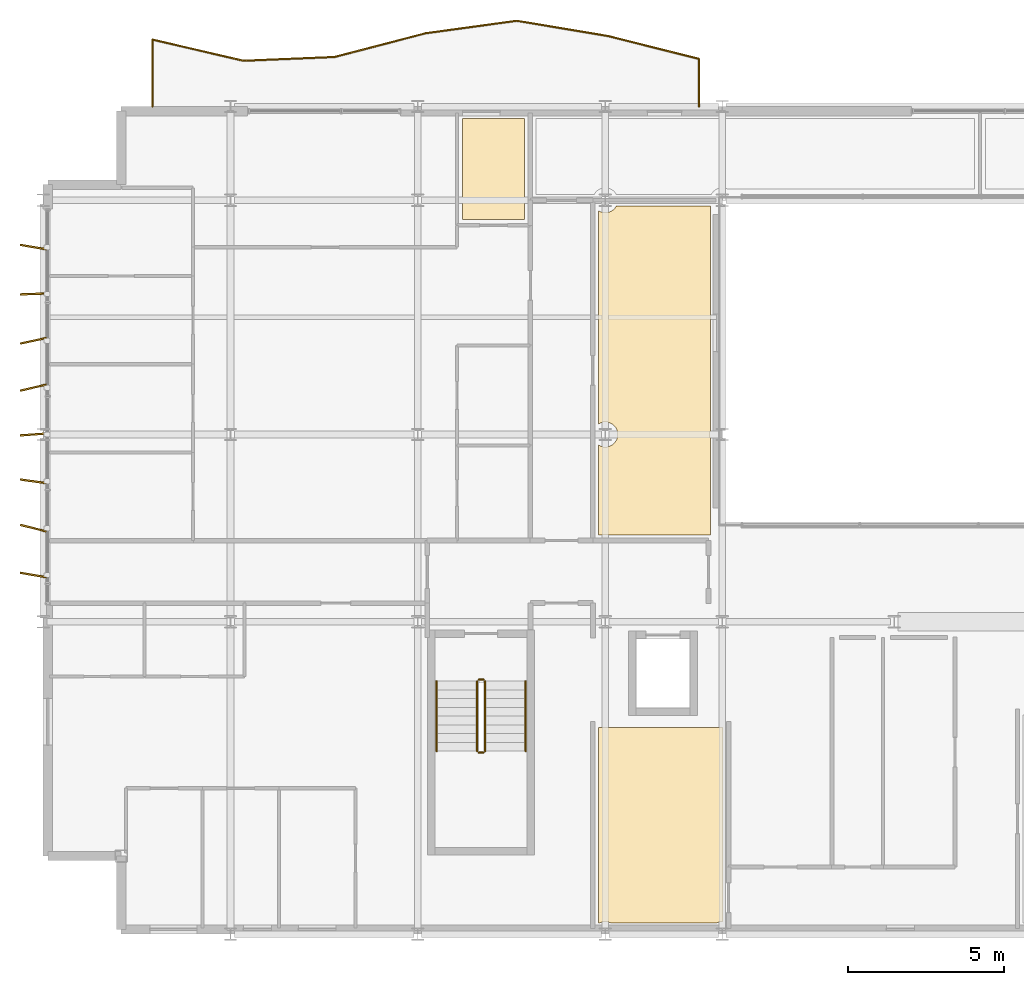
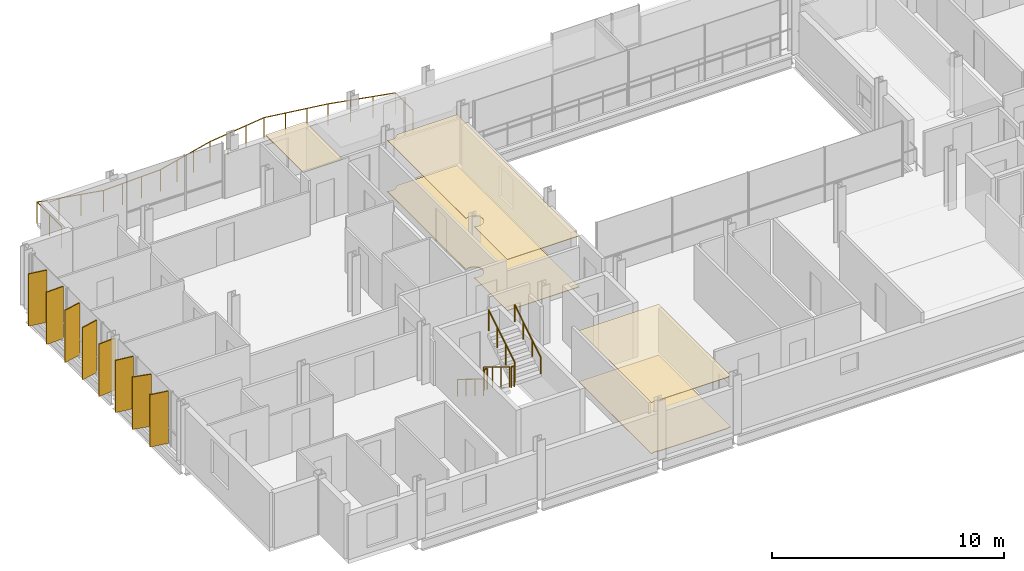
# One storey, part 35 of 38: 8 shading devices, 7 railings, 5 coverings.
"""IFC4 building model written with IfcOpenShell, lengths in metres."""

from ifc_helpers import new_model, si_unit, direction, frame, origin, origin_2d, place, context, subcontext, project, spatial, polyline, rectangle, circle, outline, extrude, material, layer, layer_set, type_object, element, save


model = new_model("IFC4")

# Units and contexts
model_context = context("Model", 3, precision=1e-05, world=origin(), true_north=direction((0.0, 1.0)))
body_context = subcontext(model_context, "Body", "Model", "MODEL_VIEW")
ifc_project = project(units=[si_unit("LENGTHUNIT", "METRE"), si_unit("AREAUNIT", "SQUARE_METRE"), si_unit("VOLUMEUNIT", "CUBIC_METRE"), si_unit("PLANEANGLEUNIT", "RADIAN"), si_unit("MASSUNIT", "GRAM", prefix="KILO")], contexts=[model_context])

# Site, building, storey
site_placement = place(None, origin())
site = spatial("IfcSite", under=ifc_project, at=site_placement, CompositionType="ELEMENT")
building_placement = place(site_placement, origin())
building = spatial("IfcBuilding", under=site, at=building_placement, Name="Brevholm Reach", CompositionType="ELEMENT")
storey_placement = place(building_placement, frame((0.0, 0.0, 186.300048828125)))
storey = spatial("IfcBuildingStorey", under=building, at=storey_placement, Name="L56", CompositionType="ELEMENT", Elevation=186.300048828125)

# Coverings
ifc_material_1 = material(Name="Moisture-Resistant Skimmed Gypsum Plasterboard Ceiling", Category="gypsum")
ifc_layer_1 = layer(ifc_material_1, 0.030029296875)
ifc_layer_set_1 = layer_set([ifc_layer_1], Name="Moisture-Resistant Skimmed Gypsum Plasterboard Ceiling")
covering_type_1 = type_object("IfcCoveringType", Name="COV-CLG-GYP", PredefinedType="CEILING", material=ifc_layer_set_1)
covering_1_placement = place(storey_placement, frame((0.0, 0.0, 2.68994140625)))
element("IfcCovering", 1, at=covering_1_placement, inside=storey, type_object=covering_type_1, Name="L56 Suspended Ceiling L56-24", PredefinedType="CEILING", context=body_context, shape_type="SweptSolid", body=[
    extrude(outline(polyline([(21.76611328125, 6.6201171875), (21.76611328125, 0.399169921875), (21.75, 0.39990234375), (21.710693359375, 0.398193359375), (21.672119140625, 0.392333984375), (21.6337890625, 0.3828125), (21.596923828125, 0.36962890625), (21.57666015625, 0.360107421875), (18.17333984375, 0.360107421875), (18.153076171875, 0.36962890625), (18.1162109375, 0.3828125), (18.077880859375, 0.392333984375), (18.039306640625, 0.398193359375), (18.0, 0.39990234375), (17.960693359375, 0.398193359375), (17.922119140625, 0.392333984375), (17.8837890625, 0.3828125), (17.846923828125, 0.36962890625), (17.82666015625, 0.360107421875), (17.783935546875, 0.360107421875), (17.783935546875, 6.6201171875), (21.76611328125, 6.6201171875)])), origin(), (0.0, 0.0, 1.0), 0.030029296875),
])
covering_2_placement = place(storey_placement, frame((0.0, 0.0, 2.68994140625)))
element("IfcCovering", 2, at=covering_2_placement, inside=storey, type_object=covering_type_1, Name="L56 Suspended Ceiling L56-42", PredefinedType="CEILING", context=body_context, shape_type="SweptSolid", body=[
    extrude(outline(polyline([(13.429931640625, 26.1201171875), (15.419921875, 26.1201171875), (15.419921875, 23.537353515625), (15.41943359375, 23.53515625), (15.4169921875, 23.517578125), (15.416015625, 23.5), (15.416015625, 22.8798828125), (13.429931640625, 22.8798828125), (13.429931640625, 26.1201171875)])), origin(), (0.0, 0.0, 1.0), 0.030029296875),
])
covering_3_placement = place(storey_placement, frame((0.0, 0.0, 2.68994140625)))
element("IfcCovering", 3, at=covering_3_placement, inside=storey, type_object=covering_type_1, Name="L56 Suspended Ceiling L56-56", PredefinedType="CEILING", context=body_context, shape_type="SweptSolid", body=[
    extrude(outline(polyline([(21.3701171875, 23.320068359375), (21.3701171875, 16.123779296875), (21.3671875, 16.1162109375), (21.357666015625, 16.077880859375), (21.351806640625, 16.039306640625), (21.35009765625, 16.0), (21.351806640625, 15.960693359375), (21.357666015625, 15.922119140625), (21.3671875, 15.8837890625), (21.3701171875, 15.876220703125), (21.3701171875, 12.783935546875), (17.783935546875, 12.783935546875), (17.783935546875, 15.663818359375), (17.811279296875, 15.647216796875), (17.846923828125, 15.63037109375), (17.8837890625, 15.6171875), (17.922119140625, 15.607666015625), (17.960693359375, 15.601806640625), (18.0, 15.60009765625), (18.039306640625, 15.601806640625), (18.077880859375, 15.607666015625), (18.1162109375, 15.6171875), (18.153076171875, 15.63037109375), (18.188720703125, 15.647216796875), (18.22216796875, 15.66748046875), (18.25390625, 15.69091796875), (18.28271484375, 15.71728515625), (18.30908203125, 15.74609375), (18.33251953125, 15.77783203125), (18.352783203125, 15.811279296875), (18.36962890625, 15.846923828125), (18.3828125, 15.8837890625), (18.392333984375, 15.922119140625), (18.398193359375, 15.960693359375), (18.39990234375, 16.0), (18.398193359375, 16.039306640625), (18.392333984375, 16.077880859375), (18.3828125, 16.1162109375), (18.36962890625, 16.153076171875), (18.352783203125, 16.188720703125), (18.33251953125, 16.22216796875), (18.30908203125, 16.25390625), (18.28271484375, 16.28271484375), (18.25390625, 16.30908203125), (18.22216796875, 16.33251953125), (18.188720703125, 16.352783203125), (18.153076171875, 16.36962890625), (18.1162109375, 16.3828125), (18.077880859375, 16.392333984375), (18.039306640625, 16.398193359375), (18.0, 16.39990234375), (17.960693359375, 16.398193359375), (17.922119140625, 16.392333984375), (17.8837890625, 16.3828125), (17.846923828125, 16.36962890625), (17.811279296875, 16.352783203125), (17.783935546875, 16.336181640625), (17.783935546875, 23.163818359375), (17.811279296875, 23.147216796875), (17.846923828125, 23.13037109375), (17.8837890625, 23.1171875), (17.922119140625, 23.107666015625), (17.960693359375, 23.101806640625), (18.0, 23.10009765625), (18.039306640625, 23.101806640625), (18.077880859375, 23.107666015625), (18.1162109375, 23.1171875), (18.153076171875, 23.13037109375), (18.188720703125, 23.147216796875), (18.22216796875, 23.16748046875), (18.25390625, 23.19091796875), (18.28271484375, 23.21728515625), (18.30908203125, 23.24609375), (18.33251953125, 23.27783203125), (18.352783203125, 23.311279296875), (18.356689453125, 23.320068359375), (21.3701171875, 23.320068359375)])), origin(), (0.0, 0.0, 1.0), 0.030029296875),
])
ifc_material_2 = material(Name="Honed Portland-Aggregate Resin Terrazzo Flooring", Category="concrete")
ifc_layer_2 = layer(ifc_material_2, 0.031982421875)
ifc_layer_set_2 = layer_set([ifc_layer_2], Name="Honed Portland-Aggregate Resin Terrazzo Flooring")
covering_type_2 = type_object("IfcCoveringType", Name="COV-FLR-TRZ", PredefinedType="FLOORING", material=ifc_layer_set_2)
covering_4_placement = place(storey_placement, origin())
element("IfcCovering", 4, at=covering_4_placement, inside=storey, type_object=covering_type_2, Name="L56 Floor Finish L56-24", PredefinedType="FLOORING", context=body_context, shape_type="SweptSolid", body=[
    extrude(outline(polyline([(21.76611328125, 6.6201171875), (21.76611328125, 0.399169921875), (21.75, 0.39990234375), (21.710693359375, 0.398193359375), (21.672119140625, 0.392333984375), (21.6337890625, 0.3828125), (21.596923828125, 0.36962890625), (21.57666015625, 0.360107421875), (18.17333984375, 0.360107421875), (18.153076171875, 0.36962890625), (18.1162109375, 0.3828125), (18.077880859375, 0.392333984375), (18.039306640625, 0.398193359375), (18.0, 0.39990234375), (17.960693359375, 0.398193359375), (17.922119140625, 0.392333984375), (17.8837890625, 0.3828125), (17.846923828125, 0.36962890625), (17.82666015625, 0.360107421875), (17.783935546875, 0.360107421875), (17.783935546875, 6.6201171875), (21.76611328125, 6.6201171875)])), origin(), (0.0, 0.0, 1.0), 0.031982421875),
])
covering_5_placement = place(storey_placement, origin())
element("IfcCovering", 5, at=covering_5_placement, inside=storey, type_object=covering_type_2, Name="L56 Floor Finish L56-56", PredefinedType="FLOORING", context=body_context, shape_type="SweptSolid", body=[
    extrude(outline(polyline([(21.3701171875, 23.320068359375), (21.3701171875, 16.123779296875), (21.3671875, 16.1162109375), (21.357666015625, 16.077880859375), (21.351806640625, 16.039306640625), (21.35009765625, 16.0), (21.351806640625, 15.960693359375), (21.357666015625, 15.922119140625), (21.3671875, 15.8837890625), (21.3701171875, 15.876220703125), (21.3701171875, 12.783935546875), (17.783935546875, 12.783935546875), (17.783935546875, 15.663818359375), (17.811279296875, 15.647216796875), (17.846923828125, 15.63037109375), (17.8837890625, 15.6171875), (17.922119140625, 15.607666015625), (17.960693359375, 15.601806640625), (18.0, 15.60009765625), (18.039306640625, 15.601806640625), (18.077880859375, 15.607666015625), (18.1162109375, 15.6171875), (18.153076171875, 15.63037109375), (18.188720703125, 15.647216796875), (18.22216796875, 15.66748046875), (18.25390625, 15.69091796875), (18.28271484375, 15.71728515625), (18.30908203125, 15.74609375), (18.33251953125, 15.77783203125), (18.352783203125, 15.811279296875), (18.36962890625, 15.846923828125), (18.3828125, 15.8837890625), (18.392333984375, 15.922119140625), (18.398193359375, 15.960693359375), (18.39990234375, 16.0), (18.398193359375, 16.039306640625), (18.392333984375, 16.077880859375), (18.3828125, 16.1162109375), (18.36962890625, 16.153076171875), (18.352783203125, 16.188720703125), (18.33251953125, 16.22216796875), (18.30908203125, 16.25390625), (18.28271484375, 16.28271484375), (18.25390625, 16.30908203125), (18.22216796875, 16.33251953125), (18.188720703125, 16.352783203125), (18.153076171875, 16.36962890625), (18.1162109375, 16.3828125), (18.077880859375, 16.392333984375), (18.039306640625, 16.398193359375), (18.0, 16.39990234375), (17.960693359375, 16.398193359375), (17.922119140625, 16.392333984375), (17.8837890625, 16.3828125), (17.846923828125, 16.36962890625), (17.811279296875, 16.352783203125), (17.783935546875, 16.336181640625), (17.783935546875, 23.163818359375), (17.811279296875, 23.147216796875), (17.846923828125, 23.13037109375), (17.8837890625, 23.1171875), (17.922119140625, 23.107666015625), (17.960693359375, 23.101806640625), (18.0, 23.10009765625), (18.039306640625, 23.101806640625), (18.077880859375, 23.107666015625), (18.1162109375, 23.1171875), (18.153076171875, 23.13037109375), (18.188720703125, 23.147216796875), (18.22216796875, 23.16748046875), (18.25390625, 23.19091796875), (18.28271484375, 23.21728515625), (18.30908203125, 23.24609375), (18.33251953125, 23.27783203125), (18.352783203125, 23.311279296875), (18.356689453125, 23.320068359375), (21.3701171875, 23.320068359375)])), origin(), (0.0, 0.0, 1.0), 0.031982421875),
])

# Railings
ifc_material_3 = material(Name="Brushed Stainless Steel EN 1.4401 and Laminated Glass", Category="steel")
railing_type_1 = type_object("IfcRailingType", Name="RAL-BALC-1150", PredefinedType="BALUSTRADE", material=ifc_material_3)
railing_1_placement = place(storey_placement, frame((21.0, 26.5, 0.0)))
element("IfcRailing", 6, at=railing_1_placement, inside=storey, type_object=railing_type_1, Name="L56 Guard Balustrade RAL-L56-BAL-NW", PredefinedType="BALUSTRADE", context=body_context, shape_type="SweptSolid", body=[
    extrude(circle(Radius=0.02392578125, at=origin_2d()), frame((0.0, 0.0, 1.1259765625), z_axis=(0.0, 1.0, 0.0), x_axis=(-1.0, 0.0, 0.0)), (0.0, 0.0, 1.0), 1.52880859375),
    extrude(circle(Radius=0.02392578125, at=origin_2d()), frame((0.0, 1.52880859375, 1.1259765625), z_axis=(-0.969908046993, 0.243471518618, 0.0), x_axis=(-0.243471518618, -0.969908046993, 0.0)), (0.0, 0.0, 1.0), 3.00732421875),
    extrude(circle(Radius=0.02392578125, at=origin_2d()), frame((-2.916748046875, 2.260986328125, 1.1259765625), z_axis=(-0.986326897089, 0.164800643445, 0.0), x_axis=(-0.164800643445, -0.986326897089, 0.0)), (0.0, 0.0, 1.0), 2.95703125),
    extrude(circle(Radius=0.02392578125, at=origin_2d()), frame((-5.833251953125, 2.748291015625, 1.1259765625), z_axis=(-0.990787222307, -0.135427767141, 0.0), x_axis=(0.135427767141, -0.990787222307, 0.0)), (0.0, 0.0, 1.0), 2.94384765625),
    extrude(circle(Radius=0.02392578125, at=origin_2d()), frame((-8.75, 2.349609375, 1.1259765625), z_axis=(-0.967668860758, -0.252224058961, 0.0), x_axis=(0.252224058961, -0.967668860758, 0.0)), (0.0, 0.0, 1.0), 3.01416015625),
    extrude(circle(Radius=0.02392578125, at=origin_2d()), frame((-11.666748046875, 1.58935546875, 1.1259765625), z_axis=(-0.999139150441, -0.041484431493, 0.0), x_axis=(0.041484431493, -0.999139150441, 0.0)), (0.0, 0.0, 1.0), 2.9189453125),
    extrude(circle(Radius=0.02392578125, at=origin_2d()), frame((-14.583251953125, 1.46826171875, 1.1259765625), z_axis=(-0.974086615793, 0.226175296912, 0.0), x_axis=(-0.226175296912, -0.974086615793, 0.0)), (0.0, 0.0, 1.0), 2.994384765625),
    extrude(circle(Radius=0.02392578125, at=origin_2d()), frame((-17.5, 2.1455078125, 1.1259765625), z_axis=(0.0, -1.0, 0.0), x_axis=(1.0, 0.0, 0.0)), (0.0, 0.0, 1.0), 2.1455078125),
    extrude(circle(Radius=0.02099609375, at=origin_2d()), origin(), (0.0, 0.0, 1.0), 1.101806640625),
    extrude(circle(Radius=0.02099609375, at=origin_2d()), frame((0.0, 0.764404296875, 0.0)), (0.0, 0.0, 1.0), 1.101806640625),
    extrude(circle(Radius=0.02099609375, at=origin_2d()), frame((0.0, 1.52880859375, 0.0)), (0.0, 0.0, 1.0), 1.101806640625),
    extrude(circle(Radius=0.02099609375, at=origin_2d()), frame((-0.97216796875, 1.77294921875, 0.0)), (0.0, 0.0, 1.0), 1.101806640625),
    extrude(circle(Radius=0.02099609375, at=origin_2d()), frame((-1.944580078125, 2.016845703125, 0.0)), (0.0, 0.0, 1.0), 1.101806640625),
    extrude(circle(Radius=0.02099609375, at=origin_2d()), frame((-2.916748046875, 2.260986328125, 0.0)), (0.0, 0.0, 1.0), 1.101806640625),
    extrude(circle(Radius=0.02099609375, at=origin_2d()), frame((-3.888916015625, 2.42333984375, 0.0)), (0.0, 0.0, 1.0), 1.101806640625),
    extrude(circle(Radius=0.02099609375, at=origin_2d()), frame((-4.861083984375, 2.5859375, 0.0)), (0.0, 0.0, 1.0), 1.101806640625),
    extrude(circle(Radius=0.02099609375, at=origin_2d()), frame((-5.833251953125, 2.748291015625, 0.0)), (0.0, 0.0, 1.0), 1.101806640625),
    extrude(circle(Radius=0.02099609375, at=origin_2d()), frame((-6.805419921875, 2.615478515625, 0.0)), (0.0, 0.0, 1.0), 1.101806640625),
    extrude(circle(Radius=0.02099609375, at=origin_2d()), frame((-7.77783203125, 2.482421875, 0.0)), (0.0, 0.0, 1.0), 1.101806640625),
    extrude(circle(Radius=0.02099609375, at=origin_2d()), frame((-8.75, 2.349609375, 0.0)), (0.0, 0.0, 1.0), 1.101806640625),
    extrude(circle(Radius=0.02099609375, at=origin_2d()), frame((-9.72216796875, 2.09619140625, 0.0)), (0.0, 0.0, 1.0), 1.101806640625),
    extrude(circle(Radius=0.02099609375, at=origin_2d()), frame((-10.694580078125, 1.8427734375, 0.0)), (0.0, 0.0, 1.0), 1.101806640625),
    extrude(circle(Radius=0.02099609375, at=origin_2d()), frame((-11.666748046875, 1.58935546875, 0.0)), (0.0, 0.0, 1.0), 1.101806640625),
    extrude(circle(Radius=0.02099609375, at=origin_2d()), frame((-12.638916015625, 1.549072265625, 0.0)), (0.0, 0.0, 1.0), 1.101806640625),
    extrude(circle(Radius=0.02099609375, at=origin_2d()), frame((-13.611083984375, 1.508544921875, 0.0)), (0.0, 0.0, 1.0), 1.101806640625),
    extrude(circle(Radius=0.02099609375, at=origin_2d()), frame((-14.583251953125, 1.46826171875, 0.0)), (0.0, 0.0, 1.0), 1.101806640625),
    extrude(circle(Radius=0.02099609375, at=origin_2d()), frame((-15.555419921875, 1.694091796875, 0.0)), (0.0, 0.0, 1.0), 1.101806640625),
    extrude(circle(Radius=0.02099609375, at=origin_2d()), frame((-16.52783203125, 1.919677734375, 0.0)), (0.0, 0.0, 1.0), 1.101806640625),
    extrude(circle(Radius=0.02099609375, at=origin_2d()), frame((-17.5, 2.1455078125, 0.0)), (0.0, 0.0, 1.0), 1.101806640625),
    extrude(circle(Radius=0.02099609375, at=origin_2d()), frame((-17.5, 1.07275390625, 0.0)), (0.0, 0.0, 1.0), 1.101806640625),
    extrude(circle(Radius=0.02099609375, at=origin_2d()), frame((-17.5, 0.0, 0.0)), (0.0, 0.0, 1.0), 1.101806640625),
])
ifc_material_4 = material(Name="Brushed Stainless Steel EN 1.4401 Continuous Handrail", Category="steel")
railing_type_2 = type_object("IfcRailingType", Name="RAL-HND-950", PredefinedType="HANDRAIL", material=ifc_material_4)
railing_2_placement = place(storey_placement, frame((12.60009765625, 8.10009765625, 0.172119140625)))
element("IfcRailing", 7, at=railing_2_placement, inside=storey, type_object=railing_type_2, Name="L56 ST-1 stair handrail 1", PredefinedType="HANDRAIL", context=body_context, shape_type="SweptSolid", body=[
    extrude(circle(Radius=0.02392578125, at=origin_2d()), frame((0.0, 0.0, 0.8857421875), z_axis=(0.0, -0.851747552033, 0.523952390591), x_axis=(1.0, 0.0, 0.0)), (0.0, 0.0, 1.0), 2.6298828125),
    extrude(circle(Radius=0.02099609375, at=origin_2d()), origin(), (0.0, 0.0, 1.0), 0.86181640625),
    extrude(circle(Radius=0.02099609375, at=origin_2d()), frame((0.0, -0.74658203125, 0.459228515625)), (0.0, 0.0, 1.0), 0.86181640625),
    extrude(circle(Radius=0.02099609375, at=origin_2d()), frame((0.0, -1.493408203125, 0.918701171875)), (0.0, 0.0, 1.0), 0.86181640625),
    extrude(circle(Radius=0.02099609375, at=origin_2d()), frame((0.0, -2.239990234375, 1.3779296875)), (0.0, 0.0, 1.0), 0.86181640625),
])
railing_3_placement = place(storey_placement, frame((15.449951171875, 5.860107421875, 1.72216796875)))
element("IfcRailing", 8, at=railing_3_placement, inside=storey, type_object=railing_type_2, Name="L56 ST-1 stair handrail 2", PredefinedType="HANDRAIL", context=body_context, shape_type="SweptSolid", body=[
    extrude(circle(Radius=0.02392578125, at=origin_2d()), frame((0.0, 0.0, 0.8857421875), z_axis=(0.0, 0.85178898068, 0.523885037382), x_axis=(-1.0, 0.0, 0.0)), (0.0, 0.0, 1.0), 2.629638671875),
    extrude(circle(Radius=0.02099609375, at=origin_2d()), origin(), (0.0, 0.0, 1.0), 0.86181640625),
    extrude(circle(Radius=0.02099609375, at=origin_2d()), frame((0.0, 0.74658203125, 0.459228515625)), (0.0, 0.0, 1.0), 0.86181640625),
    extrude(circle(Radius=0.02099609375, at=origin_2d()), frame((0.0, 1.493408203125, 0.91845703125)), (0.0, 0.0, 1.0), 0.86181640625),
    extrude(circle(Radius=0.02099609375, at=origin_2d()), frame((0.0, 2.239990234375, 1.377685546875)), (0.0, 0.0, 1.0), 0.86181640625),
])
ifc_material_5 = material(Name="Painted Tubular Galvanised Steel S275JR Stair Guard", Category="steel")
railing_type_3 = type_object("IfcRailingType", Name="RAL-STG-1120", PredefinedType="BALUSTRADE", material=ifc_material_5)
railing_4_placement = place(storey_placement, frame((13.89990234375, 8.10009765625, 0.172119140625)))
element("IfcRailing", 9, at=railing_4_placement, inside=storey, type_object=railing_type_3, Name="L56 ST-1 stair guard 1", PredefinedType="BALUSTRADE", context=body_context, shape_type="SweptSolid", body=[
    extrude(circle(Radius=0.02392578125, at=origin_2d()), frame((0.0, 0.0, 1.076171875), z_axis=(0.0, -0.851747552033, 0.523952390591), x_axis=(1.0, 0.0, 0.0)), (0.0, 0.0, 1.0), 2.6298828125),
    extrude(circle(Radius=0.02099609375, at=origin_2d()), origin(), (0.0, 0.0, 1.0), 1.052001953125),
    extrude(circle(Radius=0.02099609375, at=origin_2d()), frame((0.0, -0.74658203125, 0.459228515625)), (0.0, 0.0, 1.0), 1.052001953125),
    extrude(circle(Radius=0.02099609375, at=origin_2d()), frame((0.0, -1.493408203125, 0.918701171875)), (0.0, 0.0, 1.0), 1.052001953125),
    extrude(circle(Radius=0.02099609375, at=origin_2d()), frame((0.0, -2.239990234375, 1.3779296875)), (0.0, 0.0, 1.0), 1.052001953125),
])
railing_5_placement = place(storey_placement, frame((13.949951171875, 5.81005859375, 1.550048828125)))
element("IfcRailing", 10, at=railing_5_placement, inside=storey, type_object=railing_type_3, Name="L56 ST-1 stair guard 2", PredefinedType="BALUSTRADE", context=body_context, shape_type="SweptSolid", body=[
    extrude(circle(Radius=0.02392578125, at=origin_2d()), frame((0.0, 0.0, 1.076171875), z_axis=(1.0, 0.0, 0.0), x_axis=(0.0, 1.0, 0.0)), (0.0, 0.0, 1.0), 0.150146484375),
    extrude(circle(Radius=0.02099609375, at=origin_2d()), origin(), (0.0, 0.0, 1.0), 1.052001953125),
    extrude(circle(Radius=0.02099609375, at=origin_2d()), frame((0.150146484375, 0.0, 0.0)), (0.0, 0.0, 1.0), 1.052001953125),
])
railing_6_placement = place(storey_placement, frame((14.14990234375, 5.860107421875, 1.72216796875)))
element("IfcRailing", 11, at=railing_6_placement, inside=storey, type_object=railing_type_3, Name="L56 ST-1 stair guard 3", PredefinedType="BALUSTRADE", context=body_context, shape_type="SweptSolid", body=[
    extrude(circle(Radius=0.02392578125, at=origin_2d()), frame((0.0, 0.0, 1.076171875), z_axis=(0.0, 0.85178898068, 0.523885037382), x_axis=(-1.0, 0.0, 0.0)), (0.0, 0.0, 1.0), 2.629638671875),
    extrude(circle(Radius=0.02099609375, at=origin_2d()), origin(), (0.0, 0.0, 1.0), 1.052001953125),
    extrude(circle(Radius=0.02099609375, at=origin_2d()), frame((0.0, 0.74658203125, 0.459228515625)), (0.0, 0.0, 1.0), 1.052001953125),
    extrude(circle(Radius=0.02099609375, at=origin_2d()), frame((0.0, 1.493408203125, 0.91845703125)), (0.0, 0.0, 1.0), 1.052001953125),
    extrude(circle(Radius=0.02099609375, at=origin_2d()), frame((0.0, 2.239990234375, 1.377685546875)), (0.0, 0.0, 1.0), 1.052001953125),
])
railing_7_placement = place(storey_placement, frame((13.949951171875, 8.14990234375, 0.0)))
element("IfcRailing", 12, at=railing_7_placement, inside=storey, type_object=railing_type_3, Name="L56 ST-1 stair guard 4", PredefinedType="BALUSTRADE", context=body_context, shape_type="SweptSolid", body=[
    extrude(circle(Radius=0.02392578125, at=origin_2d()), frame((0.0, 0.0, 1.076171875), z_axis=(1.0, 0.0, 0.0), x_axis=(0.0, 1.0, 0.0)), (0.0, 0.0, 1.0), 0.150146484375),
    extrude(circle(Radius=0.02099609375, at=origin_2d()), origin(), (0.0, 0.0, 1.0), 1.052001953125),
    extrude(circle(Radius=0.02099609375, at=origin_2d()), frame((0.150146484375, 0.0, 0.0)), (0.0, 0.0, 1.0), 1.052001953125),
])

# Shading devices
ifc_material_6 = material(Name="Perforated Champagne-Bronze Anodised Aluminium", Category="aluminium")
ifc_layer_3 = layer(ifc_material_6, 0.054931640625)
ifc_layer_set_3 = layer_set([ifc_layer_3], Name="Perforated Champagne-Bronze Anodised Aluminium")
shading_device_type = type_object("IfcShadingDeviceType", Name="SHD-FIN-850", PredefinedType="USERDEFINED", material=ifc_layer_set_3)
for number, where, z_axis, x_axis, name in (
    (13, (-0.31494140625, 11.5, 0.070068359375), (0.0, 0.0, 1.0), (-0.986149880382, 0.165856605002, 0.0), "L56 Perforated Solar Screen Fin 1"),
    (14, (-0.31494140625, 13.0, 0.070068359375), (0.0, 0.0, 1.0), (-0.97047280358, 0.24121056675, 0.0), "L56 Perforated Solar Screen Fin 2"),
    (15, (-0.31494140625, 14.5, 0.070068359375), (0.0, 0.0, 1.0), (-0.990609949221, 0.136718427816, 0.0), "L56 Perforated Solar Screen Fin 3"),
    (16, (-0.31494140625, 16.0, 0.070068359375), (0.0, 0.0, 1.0), (-0.997366630031, -0.072524515164, 0.0), "L56 Perforated Solar Screen Fin 4"),
    (17, (-0.31494140625, 17.5, 0.070068359375), (0.0, 0.0, 1.0), (-0.974193088138, -0.225716253344, 0.0), "L56 Perforated Solar Screen Fin 5"),
    (18, (-0.31494140625, 19.0, 0.070068359375), (0.0, 0.0, 1.0), (-0.977757619723, -0.209738020097, 0.0), "L56 Perforated Solar Screen Fin 6"),
    (19, (-0.31494140625, 20.5, 0.070068359375), (0.0, 0.0, 1.0), (-0.99935811656, -0.035823942643, 0.0), "L56 Perforated Solar Screen Fin 7"),
    (20, (-0.31494140625, 22.0, 0.070068359375), (0.0, 0.0, 1.0), (-0.986149880382, 0.165856605002, 0.0), "L56 Perforated Solar Screen Fin 8"),
):
    element("IfcShadingDevice", number, at=place(storey_placement, frame(where, z_axis=z_axis, x_axis=x_axis)), inside=storey, type_object=shading_device_type, Name=name, ObjectType="SCREEN", PredefinedType="USERDEFINED", context=body_context, shape_type="SweptSolid", body=[
        extrude(rectangle(XDim=0.85009765625, YDim=0.054931640625, at=origin_2d()), origin(), (0.0, 0.0, 1.0), 2.75),
    ])

save(model, "model.ifc")
